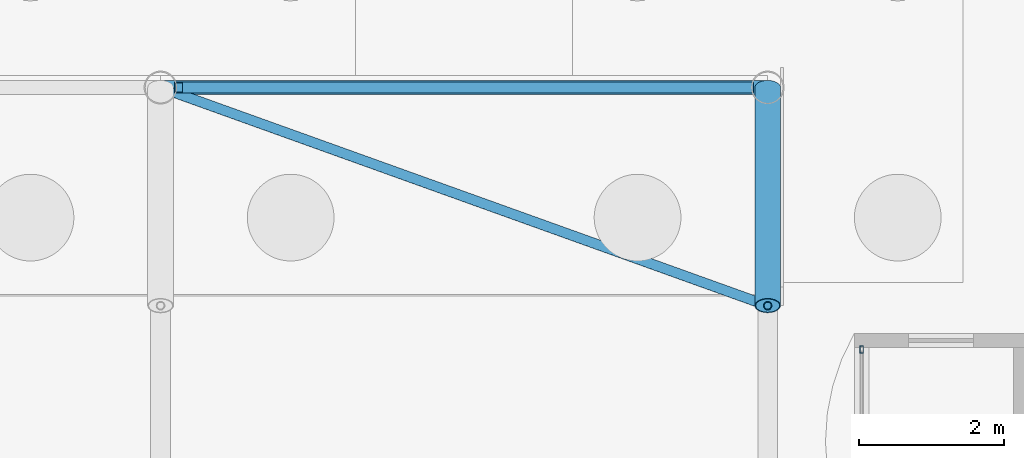
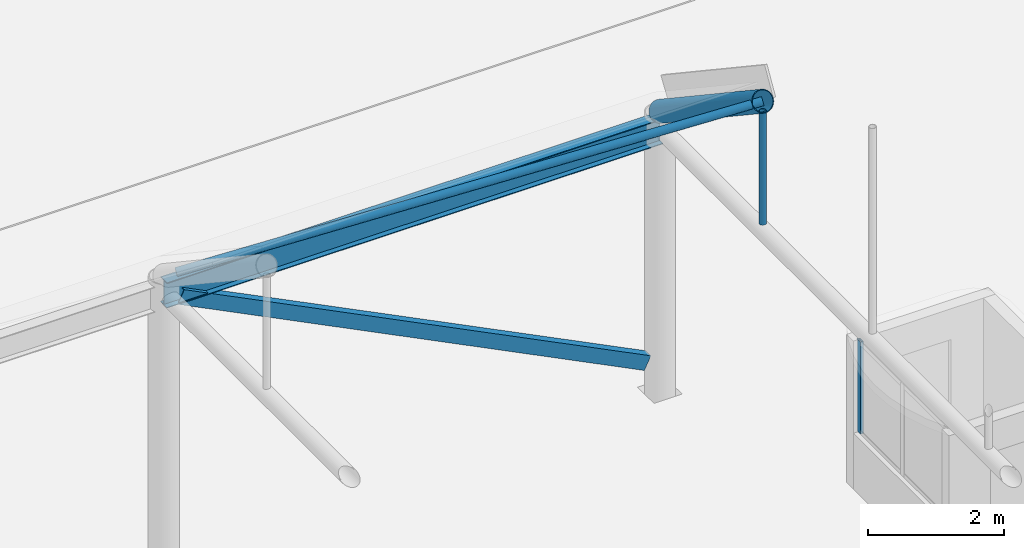
# One storey, part 82 of 212: 5 members, 1 beam, 1 element without a shape of its own.
"""IFC4 building model written with IfcOpenShell, lengths in metres."""

from ifc_helpers import new_model, si_unit, direction, frame, origin, origin_2d, place, context, subcontext, project, spatial, hollow_rectangle, hollow_circle, i_section, extrude, material, material_profile, profile_set, type_object, element, aggregate, save


model = new_model("IFC4")

# Units and contexts
model_context = context("Model", 3, precision=1e-05, world=origin(), true_north=direction((0.0, 1.0)))
body_context = subcontext(model_context, "Body", "Model", "MODEL_VIEW")
ifc_project = project(units=[si_unit("LENGTHUNIT", "METRE"), si_unit("AREAUNIT", "SQUARE_METRE"), si_unit("VOLUMEUNIT", "CUBIC_METRE"), si_unit("PLANEANGLEUNIT", "RADIAN"), si_unit("MASSUNIT", "GRAM", prefix="KILO")], contexts=[model_context])

# Site, building, storey
site_placement = place(None, origin())
site = spatial("IfcSite", under=ifc_project, at=site_placement, CompositionType="ELEMENT")
building_placement = place(site_placement, origin())
building = spatial("IfcBuilding", under=site, at=building_placement, Name="Catenary Quay Ferry Terminal", CompositionType="ELEMENT")
storey_placement = place(building_placement, origin())
storey = spatial("IfcBuildingStorey", under=building, at=storey_placement, Name="L00", CompositionType="ELEMENT", Elevation=0.0)

# Beam
ifc_material_1 = material(Name="Steel S355", Category="steel")
ifc_material_profile_1 = material_profile(ifc_material_1, i_section(OverallWidth=0.18994140625, OverallDepth=0.453369140625, WebThickness=0.008544921875, FlangeThickness=0.0126953125, at=origin_2d()), Name="UB 457x191x67")
ifc_profile_set_1 = profile_set([ifc_material_profile_1], Name="Steel S355")
beam_type = type_object("IfcBeamType", Name="B1 UB 457x191x67", PredefinedType="BEAM", material=ifc_profile_set_1)
beam_placement = place(storey_placement, frame((92.39990234375, 50.39990234375, 4.699951171875), z_axis=(1.0, 0.0, 0.0), x_axis=(0.0, 1.0, 0.0)))
element("IfcBeam", 1, at=beam_placement, inside=storey, type_object=beam_type, Name="Eaves beam B-CA7-10", PredefinedType="BEAM", context=body_context, shape_type="SweptSolid", body=[
    extrude(i_section(OverallWidth=0.18994140625, OverallDepth=0.453369140625, WebThickness=0.008544921875, FlangeThickness=0.0126953125, at=origin_2d()), origin(), (0.0, 0.0, 1.0), 8.400146484375),
])

# Members
ifc_material_2 = material(Name="Steel S355", Category="steel")
ifc_material_profile_2 = material_profile(ifc_material_2, hollow_circle(Radius=0.06982421875, WallThickness=0.008056640625, at=origin_2d()), Name="CHS 139.7x8")
ifc_profile_set_2 = profile_set([ifc_material_profile_2], Name="Steel S355")
member_type_1 = type_object("IfcMemberType", Name="BR1 CHS 139.7x8", PredefinedType="BRACE", material=ifc_profile_set_2)
member_1_placement = place(storey_placement, frame((100.800048828125, 47.382080078125, 7.012939453125), z_axis=(-0.918054314923, 0.32979893154, -0.22002031635), x_axis=(-0.338083571488, -0.941116092036, 0.0)))
element("IfcMember", 2, at=member_1_placement, inside=storey, type_object=member_type_1, Name="Roof brace BR-CA-10-10", PredefinedType="BRACE", context=body_context, shape_type="SweptSolid", body=[
    extrude(hollow_circle(Radius=0.06982421875, WallThickness=0.008056640625, at=origin_2d()), origin(), (0.0, 0.0, 1.0), 8.96240234375),
])
ifc_material_3 = material(Name="Steel S355", Category="steel")
ifc_material_profile_3 = material_profile(ifc_material_3, hollow_rectangle(XDim=0.14990234375, YDim=0.25, WallThickness=0.010009765625, at=origin_2d()), Name="RHS 250x150x10")
ifc_profile_set_3 = profile_set([ifc_material_profile_3], Name="Steel S355")
member_type_2 = type_object("IfcMemberType", Name="BR2 RHS 250x150x10", PredefinedType="BRACE", material=ifc_profile_set_3)
member_2_placement = place(storey_placement, frame((100.550048828125, 50.39990234375, 0.625), z_axis=(-0.894432719117, 0.0, 0.447202539095), x_axis=(0.0, -1.0, 0.0)))
element("IfcMember", 3, at=member_2_placement, inside=storey, type_object=member_type_2, Name="Wall brace BR-CA7-2", PredefinedType="BRACE", context=body_context, shape_type="SweptSolid", body=[
    extrude(hollow_rectangle(XDim=0.14990234375, YDim=0.25, WallThickness=0.010009765625, at=origin_2d()), origin(), (0.0, 0.0, 1.0), 8.83251953125),
])
ifc_material_4 = material(Name="Steel S355", Category="steel")
ifc_material_profile_4 = material_profile(ifc_material_4, hollow_circle(Radius=0.05712890625, WallThickness=0.00634765625, at=origin_2d()), Name="CHS 114.3x6.3")
ifc_profile_set_4 = profile_set([ifc_material_profile_4], Name="Steel S355")
member_type_3 = type_object("IfcMemberType", Name="HG1 CHS 114.3x6.3", PredefinedType="POST", material=ifc_profile_set_4)
member_3_placement = place(storey_placement, frame((100.800048828125, 47.382080078125, 4.830078125), z_axis=(0.0, 0.0, 1.0), x_axis=(1.0, 0.0, 0.0)))
element("IfcMember", 4, at=member_3_placement, inside=storey, type_object=member_type_3, Name="Hanger CA-11-09", PredefinedType="POST", context=body_context, shape_type="SweptSolid", body=[
    extrude(hollow_circle(Radius=0.05712890625, WallThickness=0.00634765625, at=origin_2d()), origin(), (0.0, 0.0, 1.0), 2.010986328125),
])

# Curtain wall, member
ifc_material_5 = material(Name="Aluminium and glass", Category="aluminium")
curtain_wall_type = type_object("IfcCurtainWallType", Name="CWV", PredefinedType="NOTDEFINED", material=ifc_material_5)
curtain_wall_placement = place(storey_placement, origin())
curtain_wall = element("IfcCurtainWall", 5, at=curtain_wall_placement, inside=storey, type_object=curtain_wall_type, Name="Booth curtain wall CW166", PredefinedType="NOTDEFINED")
ifc_material_6 = material(Name="Aluminium", Category="aluminium")
ifc_material_profile_5 = material_profile(ifc_material_6, hollow_rectangle(XDim=0.050048828125, YDim=0.10009765625, WallThickness=0.0048828125, at=origin_2d()), Name="MU1")
ifc_profile_set_5 = profile_set([ifc_material_profile_5], Name="Aluminium")
member_type_4 = type_object("IfcMemberType", Name="MU1", PredefinedType="MULLION", material=ifc_profile_set_5)
member_4_placement = place(storey_placement, frame((102.10009765625, 46.77490234375, 1.0), z_axis=(0.0, 0.0, 1.0), x_axis=(-1.0, 0.0, 0.0)))
member_4 = element("IfcMember", 6, at=member_4_placement, type_object=member_type_4, Name="CW166 mullion 3", PredefinedType="MULLION", context=body_context, shape_type="SweptSolid", body=[
    extrude(hollow_rectangle(XDim=0.050048828125, YDim=0.10009765625, WallThickness=0.0048828125, at=origin_2d()), origin(), (0.0, 0.0, 1.0), 1.64990234375),
])
aggregate(curtain_wall, [member_4])

# Member
ifc_material_7 = material(Name="Steel S355", Category="steel")
ifc_material_profile_6 = material_profile(ifc_material_7, hollow_circle(Radius=0.177734375, WallThickness=0.012451171875, at=origin_2d()), Name="CHS 355.6x12.5")
ifc_profile_set_6 = profile_set([ifc_material_profile_6], Name="Steel S355")
member_type_5 = type_object("IfcMemberType", Name="VR1 CHS 355.6x12.5", PredefinedType="RAFTER", material=ifc_profile_set_6)
member_5_placement = place(storey_placement, frame((100.800048828125, 47.382080078125, 7.012939453125), z_axis=(0.0, 0.831915666545, -0.554902084837), x_axis=(-1.0, 0.0, 0.0)))
element("IfcMember", 7, at=member_5_placement, inside=storey, type_object=member_type_5, Name="rib CA-11-10", PredefinedType="RAFTER", context=body_context, shape_type="SweptSolid", body=[
    extrude(hollow_circle(Radius=0.177734375, WallThickness=0.012451171875, at=origin_2d()), origin(), (0.0, 0.0, 1.0), 3.62744140625),
])

save(model, "model.ifc")
